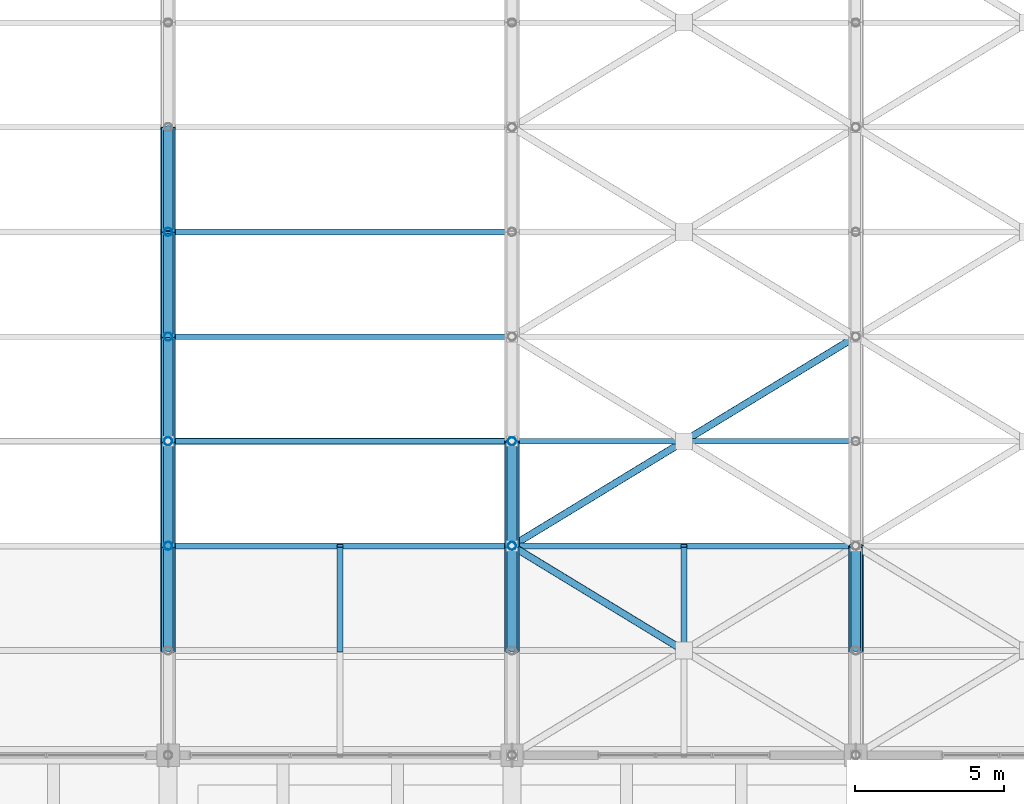
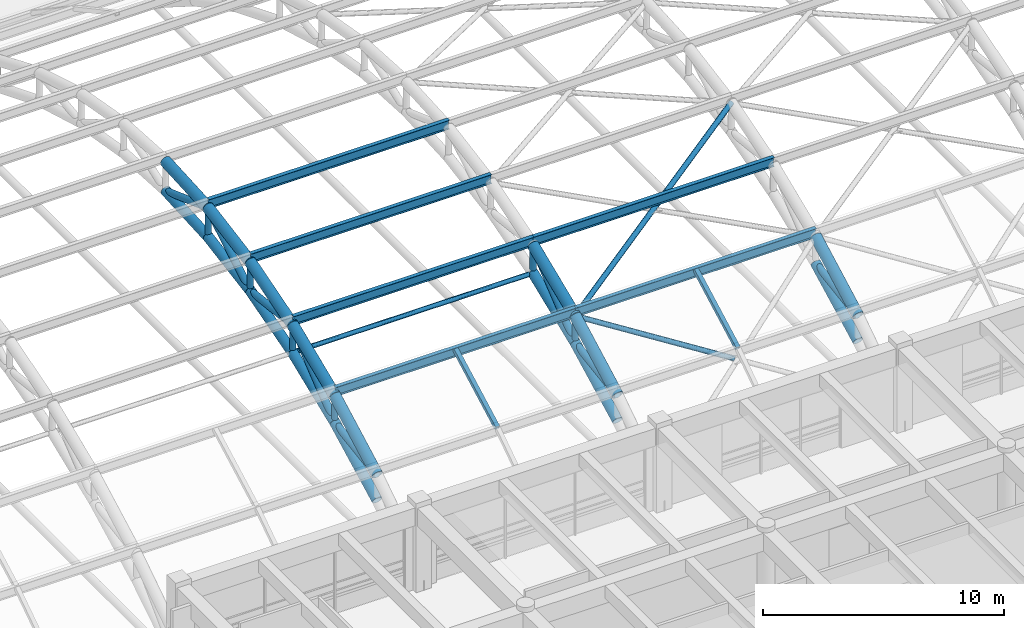
# One storey, part 49 of 154: 41 members.
"""IFC4 building model written with IfcOpenShell, lengths in metres."""

from ifc_helpers import new_model, si_unit, direction, frame, origin, origin_2d, place, context, subcontext, project, spatial, hollow_rectangle, hollow_circle, i_section, extrude, material, material_profile, profile_set, type_object, element, save


model = new_model("IFC4")

# Units and contexts
model_context = context("Model", 3, precision=1e-05, world=origin(), true_north=direction((0.0, 1.0)))
body_context = subcontext(model_context, "Body", "Model", "MODEL_VIEW")
ifc_project = project(units=[si_unit("LENGTHUNIT", "METRE"), si_unit("AREAUNIT", "SQUARE_METRE"), si_unit("VOLUMEUNIT", "CUBIC_METRE"), si_unit("PLANEANGLEUNIT", "RADIAN"), si_unit("MASSUNIT", "GRAM", prefix="KILO")], contexts=[model_context])

# Site, building, storey
site_placement = place(None, origin())
site = spatial("IfcSite", under=ifc_project, at=site_placement, CompositionType="ELEMENT")
building_placement = place(site_placement, origin())
building = spatial("IfcBuilding", under=site, at=building_placement, Name="Ologun Quay Terminus", CompositionType="ELEMENT")
storey_placement = place(building_placement, frame((0.0, 0.0, 13.800048828125)))
storey = spatial("IfcBuildingStorey", under=building, at=storey_placement, Name="L03", CompositionType="ELEMENT", Elevation=13.800048828125)

# Members
ifc_material_1 = material(Name="Steel S355", Category="steel")
ifc_material_profile_1 = material_profile(ifc_material_1, hollow_circle(Radius=0.136474609375, WallThickness=0.010009765625, at=origin_2d()), Name="CHS 273x10")
ifc_profile_set_1 = profile_set([ifc_material_profile_1], Name="Steel S355")
member_type_1 = type_object("IfcMemberType", Name="Arch Truss Vertical Post CHS273", PredefinedType="STRUT", material=ifc_profile_set_1)
member_1_placement = place(storey_placement, frame((69.0, 43.0, 4.022216796875), z_axis=(0.0, 0.0, 1.0), x_axis=(1.0, 0.0, 0.0)))
element("IfcMember", 1, at=member_1_placement, inside=storey, type_object=member_type_1, Name="AW2 Arch Web Post 7-N2", PredefinedType="STRUT", context=body_context, shape_type="SweptSolid", body=[
    extrude(hollow_circle(Radius=0.136474609375, WallThickness=0.010009765625, at=origin_2d()), origin(), (0.0, 0.0, 1.0), 1.35546875),
])
member_2_placement = place(storey_placement, frame((69.0, 46.5, 5.429931640625), z_axis=(0.0, 0.0, 1.0), x_axis=(1.0, 0.0, 0.0)))
element("IfcMember", 2, at=member_2_placement, inside=storey, type_object=member_type_1, Name="AW2 Arch Web Post 7-N3", PredefinedType="STRUT", context=body_context, shape_type="SweptSolid", body=[
    extrude(hollow_circle(Radius=0.136474609375, WallThickness=0.010009765625, at=origin_2d()), origin(), (0.0, 0.0, 1.0), 1.409912109375),
])
member_3_placement = place(storey_placement, frame((69.0, 50.0, 6.435546875), z_axis=(0.0, 0.0, 1.0), x_axis=(1.0, 0.0, 0.0)))
element("IfcMember", 3, at=member_3_placement, inside=storey, type_object=member_type_1, Name="AW2 Arch Web Post 7-N4", PredefinedType="STRUT", context=body_context, shape_type="SweptSolid", body=[
    extrude(hollow_circle(Radius=0.136474609375, WallThickness=0.010009765625, at=origin_2d()), origin(), (0.0, 0.0, 1.0), 1.44873046875),
])
member_4_placement = place(storey_placement, frame((69.0, 53.5, 7.038818359375), z_axis=(0.0, 0.0, 1.0), x_axis=(1.0, 0.0, 0.0)))
element("IfcMember", 4, at=member_4_placement, inside=storey, type_object=member_type_1, Name="AW2 Arch Web Post 7-N5", PredefinedType="STRUT", context=body_context, shape_type="SweptSolid", body=[
    extrude(hollow_circle(Radius=0.136474609375, WallThickness=0.010009765625, at=origin_2d()), origin(), (0.0, 0.0, 1.0), 1.47216796875),
])
member_5_placement = place(storey_placement, frame((80.5, 43.0, 4.022216796875), z_axis=(0.0, 0.0, 1.0), x_axis=(1.0, 0.0, 0.0)))
element("IfcMember", 5, at=member_5_placement, inside=storey, type_object=member_type_1, Name="AW2 Arch Web Post 8-N2", PredefinedType="STRUT", context=body_context, shape_type="SweptSolid", body=[
    extrude(hollow_circle(Radius=0.136474609375, WallThickness=0.010009765625, at=origin_2d()), origin(), (0.0, 0.0, 1.0), 1.35546875),
])
member_6_placement = place(storey_placement, frame((80.5, 46.5, 5.429931640625), z_axis=(0.0, 0.0, 1.0), x_axis=(1.0, 0.0, 0.0)))
element("IfcMember", 6, at=member_6_placement, inside=storey, type_object=member_type_1, Name="AW2 Arch Web Post 8-N3", PredefinedType="STRUT", context=body_context, shape_type="SweptSolid", body=[
    extrude(hollow_circle(Radius=0.136474609375, WallThickness=0.010009765625, at=origin_2d()), origin(), (0.0, 0.0, 1.0), 1.409912109375),
])
ifc_material_2 = material(Name="Steel S355", Category="steel")
ifc_material_profile_2 = material_profile(ifc_material_2, hollow_circle(Radius=0.161865234375, WallThickness=0.010009765625, at=origin_2d()), Name="CHS 323.9x10")
ifc_profile_set_2 = profile_set([ifc_material_profile_2], Name="Steel S355")
member_type_2 = type_object("IfcMemberType", Name="Arch Truss Web Diagonal CHS323", PredefinedType="BRACE", material=ifc_profile_set_2)
member_7_placement = place(storey_placement, frame((69.0, 39.5, 3.497802734375), z_axis=(0.0, 0.988960627525, 0.148178531524), x_axis=(-1.0, 0.0, 0.0)))
element("IfcMember", 7, at=member_7_placement, inside=storey, type_object=member_type_2, Name="AW1 Arch Web Diagonal 7-P2", PredefinedType="BRACE", context=body_context, shape_type="SweptSolid", body=[
    extrude(hollow_circle(Radius=0.161865234375, WallThickness=0.010009765625, at=origin_2d()), origin(), (0.0, 0.0, 1.0), 3.5390625),
])
member_8_placement = place(storey_placement, frame((69.0, 43.0, 4.022216796875), z_axis=(0.0, 0.77895148125, 0.627084196785), x_axis=(-1.0, 0.0, 0.0)))
element("IfcMember", 8, at=member_8_placement, inside=storey, type_object=member_type_2, Name="AW1 Arch Web Diagonal 7-P3", PredefinedType="BRACE", context=body_context, shape_type="SweptSolid", body=[
    extrude(hollow_circle(Radius=0.161865234375, WallThickness=0.010009765625, at=origin_2d()), origin(), (0.0, 0.0, 1.0), 4.4931640625),
])
member_9_placement = place(storey_placement, frame((69.0, 46.5, 6.83984375), z_axis=(0.0, 0.993394361, -0.114750353084), x_axis=(-1.0, 0.0, 0.0)))
element("IfcMember", 9, at=member_9_placement, inside=storey, type_object=member_type_2, Name="AW1 Arch Web Diagonal 7-P4", PredefinedType="BRACE", context=body_context, shape_type="SweptSolid", body=[
    extrude(hollow_circle(Radius=0.161865234375, WallThickness=0.010009765625, at=origin_2d()), origin(), (0.0, 0.0, 1.0), 3.523193359375),
])
member_10_placement = place(storey_placement, frame((69.0, 50.0, 6.435546875), z_axis=(0.0, 0.860144332958, 0.510050709715), x_axis=(-1.0, 0.0, 0.0)))
element("IfcMember", 10, at=member_10_placement, inside=storey, type_object=member_type_2, Name="AW1 Arch Web Diagonal 7-P5", PredefinedType="BRACE", context=body_context, shape_type="SweptSolid", body=[
    extrude(hollow_circle(Radius=0.161865234375, WallThickness=0.010009765625, at=origin_2d()), origin(), (0.0, 0.0, 1.0), 4.069091796875),
])
member_11_placement = place(storey_placement, frame((69.0, 53.5, 8.510986328125), z_axis=(0.0, 0.939942650142, -0.34133241048), x_axis=(-1.0, 0.0, 0.0)))
element("IfcMember", 11, at=member_11_placement, inside=storey, type_object=member_type_2, Name="AW1 Arch Web Diagonal 7-P6", PredefinedType="BRACE", context=body_context, shape_type="SweptSolid", body=[
    extrude(hollow_circle(Radius=0.161865234375, WallThickness=0.010009765625, at=origin_2d()), origin(), (0.0, 0.0, 1.0), 3.7236328125),
])
member_12_placement = place(storey_placement, frame((80.5, 39.5, 3.497802734375), z_axis=(0.0, 0.988960627525, 0.148178531524), x_axis=(-1.0, 0.0, 0.0)))
element("IfcMember", 12, at=member_12_placement, inside=storey, type_object=member_type_2, Name="AW1 Arch Web Diagonal 8-P2", PredefinedType="BRACE", context=body_context, shape_type="SweptSolid", body=[
    extrude(hollow_circle(Radius=0.161865234375, WallThickness=0.010009765625, at=origin_2d()), origin(), (0.0, 0.0, 1.0), 3.5390625),
])
member_13_placement = place(storey_placement, frame((80.5, 43.0, 4.022216796875), z_axis=(0.0, 0.77895148125, 0.627084196785), x_axis=(-1.0, 0.0, 0.0)))
element("IfcMember", 13, at=member_13_placement, inside=storey, type_object=member_type_2, Name="AW1 Arch Web Diagonal 8-P3", PredefinedType="BRACE", context=body_context, shape_type="SweptSolid", body=[
    extrude(hollow_circle(Radius=0.161865234375, WallThickness=0.010009765625, at=origin_2d()), origin(), (0.0, 0.0, 1.0), 4.4931640625),
])
member_14_placement = place(storey_placement, frame((92.0, 39.5, 3.497802734375), z_axis=(0.0, 0.988960627525, 0.148178531524), x_axis=(-1.0, 0.0, 0.0)))
element("IfcMember", 14, at=member_14_placement, inside=storey, type_object=member_type_2, Name="AW1 Arch Web Diagonal 9-P2", PredefinedType="BRACE", context=body_context, shape_type="SweptSolid", body=[
    extrude(hollow_circle(Radius=0.161865234375, WallThickness=0.010009765625, at=origin_2d()), origin(), (0.0, 0.0, 1.0), 3.5390625),
])
ifc_material_3 = material(Name="Steel S355", Category="steel")
ifc_material_profile_3 = material_profile(ifc_material_3, hollow_circle(Radius=0.228515625, WallThickness=0.01611328125, at=origin_2d()), Name="CHS 457x16")
ifc_profile_set_3 = profile_set([ifc_material_profile_3], Name="Steel S355")
member_type_3 = type_object("IfcMemberType", Name="Parabolic Arch Bottom Chord CHS457", PredefinedType="CHORD", material=ifc_profile_set_3)
member_15_placement = place(storey_placement, frame((69.0, 39.5, 2.212158203125), z_axis=(0.0, 0.888247284083, 0.459365608551), x_axis=(-1.0, 0.0, 0.0)))
element("IfcMember", 15, at=member_15_placement, inside=storey, type_object=member_type_3, Name="AC2 Arch Bottom Chord 7-P2", PredefinedType="CHORD", context=body_context, shape_type="SweptSolid", body=[
    extrude(hollow_circle(Radius=0.228515625, WallThickness=0.01611328125, at=origin_2d()), origin(), (0.0, 0.0, 1.0), 3.9404296875),
])
member_16_placement = place(storey_placement, frame((69.0, 43.0, 4.022216796875), z_axis=(0.0, 0.92776983497, 0.373152962363), x_axis=(-1.0, 0.0, 0.0)))
element("IfcMember", 16, at=member_16_placement, inside=storey, type_object=member_type_3, Name="AC2 Arch Bottom Chord 7-P3", PredefinedType="CHORD", context=body_context, shape_type="SweptSolid", body=[
    extrude(hollow_circle(Radius=0.228515625, WallThickness=0.01611328125, at=origin_2d()), origin(), (0.0, 0.0, 1.0), 3.7724609375),
])
member_17_placement = place(storey_placement, frame((69.0, 46.5, 5.429931640625), z_axis=(0.0, 0.961115578425, 0.276146419331), x_axis=(-1.0, 0.0, 0.0)))
element("IfcMember", 17, at=member_17_placement, inside=storey, type_object=member_type_3, Name="AC2 Arch Bottom Chord 7-P4", PredefinedType="CHORD", context=body_context, shape_type="SweptSolid", body=[
    extrude(hollow_circle(Radius=0.228515625, WallThickness=0.01611328125, at=origin_2d()), origin(), (0.0, 0.0, 1.0), 3.6416015625),
])
member_18_placement = place(storey_placement, frame((69.0, 50.0, 6.435546875), z_axis=(0.0, 0.985468449185, 0.16985857547), x_axis=(-1.0, 0.0, 0.0)))
element("IfcMember", 18, at=member_18_placement, inside=storey, type_object=member_type_3, Name="AC2 Arch Bottom Chord 7-P5", PredefinedType="CHORD", context=body_context, shape_type="SweptSolid", body=[
    extrude(hollow_circle(Radius=0.228515625, WallThickness=0.01611328125, at=origin_2d()), origin(), (0.0, 0.0, 1.0), 3.551513671875),
])
member_19_placement = place(storey_placement, frame((69.0, 53.5, 7.038818359375), z_axis=(0.0, 0.998352239869, 0.057382969144), x_axis=(-1.0, 0.0, 0.0)))
element("IfcMember", 19, at=member_19_placement, inside=storey, type_object=member_type_3, Name="AC2 Arch Bottom Chord 7-P6", PredefinedType="CHORD", context=body_context, shape_type="SweptSolid", body=[
    extrude(hollow_circle(Radius=0.228515625, WallThickness=0.01611328125, at=origin_2d()), origin(), (0.0, 0.0, 1.0), 3.505859375),
])
member_20_placement = place(storey_placement, frame((80.5, 39.5, 2.212158203125), z_axis=(0.0, 0.888247284083, 0.459365608551), x_axis=(-1.0, 0.0, 0.0)))
element("IfcMember", 20, at=member_20_placement, inside=storey, type_object=member_type_3, Name="AC2 Arch Bottom Chord 8-P2", PredefinedType="CHORD", context=body_context, shape_type="SweptSolid", body=[
    extrude(hollow_circle(Radius=0.228515625, WallThickness=0.01611328125, at=origin_2d()), origin(), (0.0, 0.0, 1.0), 3.9404296875),
])
member_21_placement = place(storey_placement, frame((80.5, 43.0, 4.022216796875), z_axis=(0.0, 0.92776983497, 0.373152962363), x_axis=(-1.0, 0.0, 0.0)))
element("IfcMember", 21, at=member_21_placement, inside=storey, type_object=member_type_3, Name="AC2 Arch Bottom Chord 8-P3", PredefinedType="CHORD", context=body_context, shape_type="SweptSolid", body=[
    extrude(hollow_circle(Radius=0.228515625, WallThickness=0.01611328125, at=origin_2d()), origin(), (0.0, 0.0, 1.0), 3.7724609375),
])
member_22_placement = place(storey_placement, frame((92.0, 39.5, 2.212158203125), z_axis=(0.0, 0.888247284083, 0.459365608551), x_axis=(-1.0, 0.0, 0.0)))
element("IfcMember", 22, at=member_22_placement, inside=storey, type_object=member_type_3, Name="AC2 Arch Bottom Chord 9-P2", PredefinedType="CHORD", context=body_context, shape_type="SweptSolid", body=[
    extrude(hollow_circle(Radius=0.228515625, WallThickness=0.01611328125, at=origin_2d()), origin(), (0.0, 0.0, 1.0), 3.9404296875),
])
ifc_material_4 = material(Name="Steel S355", Category="steel")
ifc_material_profile_4 = material_profile(ifc_material_4, hollow_circle(Radius=0.25390625, WallThickness=0.01611328125, at=origin_2d()), Name="CHS 508x16")
ifc_profile_set_4 = profile_set([ifc_material_profile_4], Name="Steel S355")
member_type_4 = type_object("IfcMemberType", Name="Parabolic Arch Top Chord CHS508", PredefinedType="CHORD", material=ifc_profile_set_4)
member_23_placement = place(storey_placement, frame((69.0, 39.5, 3.497802734375), z_axis=(0.0, 0.880967864924, 0.473176099324), x_axis=(-1.0, 0.0, 0.0)))
element("IfcMember", 23, at=member_23_placement, inside=storey, type_object=member_type_4, Name="Arch Top Chord 7-P2", PredefinedType="CHORD", context=body_context, shape_type="SweptSolid", body=[
    extrude(hollow_circle(Radius=0.25390625, WallThickness=0.01611328125, at=origin_2d()), origin(), (0.0, 0.0, 1.0), 3.972900390625),
])
member_24_placement = place(storey_placement, frame((69.0, 43.0, 5.377685546875), z_axis=(0.0, 0.922718523726, 0.385474416755), x_axis=(-1.0, 0.0, 0.0)))
element("IfcMember", 24, at=member_24_placement, inside=storey, type_object=member_type_4, Name="Arch Top Chord 7-P3", PredefinedType="CHORD", context=body_context, shape_type="SweptSolid", body=[
    extrude(hollow_circle(Radius=0.25390625, WallThickness=0.01611328125, at=origin_2d()), origin(), (0.0, 0.0, 1.0), 3.793212890625),
])
member_25_placement = place(storey_placement, frame((69.0, 46.5, 6.83984375), z_axis=(0.0, 0.958244712677, 0.285949419701), x_axis=(-1.0, 0.0, 0.0)))
element("IfcMember", 25, at=member_25_placement, inside=storey, type_object=member_type_4, Name="Arch Top Chord 7-P4", PredefinedType="CHORD", context=body_context, shape_type="SweptSolid", body=[
    extrude(hollow_circle(Radius=0.25390625, WallThickness=0.01611328125, at=origin_2d()), origin(), (0.0, 0.0, 1.0), 3.652587890625),
])
member_26_placement = place(storey_placement, frame((69.0, 50.0, 7.88427734375), z_axis=(0.0, 0.984344289591, 0.176256402859), x_axis=(-1.0, 0.0, 0.0)))
element("IfcMember", 26, at=member_26_placement, inside=storey, type_object=member_type_4, Name="Arch Top Chord 7-P5", PredefinedType="CHORD", context=body_context, shape_type="SweptSolid", body=[
    extrude(hollow_circle(Radius=0.25390625, WallThickness=0.01611328125, at=origin_2d()), origin(), (0.0, 0.0, 1.0), 3.5556640625),
])
member_27_placement = place(storey_placement, frame((69.0, 53.5, 8.510986328125), z_axis=(0.0, 0.998222121157, 0.0596036646), x_axis=(-1.0, 0.0, 0.0)))
element("IfcMember", 27, at=member_27_placement, inside=storey, type_object=member_type_4, Name="Arch Top Chord 7-P6", PredefinedType="CHORD", context=body_context, shape_type="SweptSolid", body=[
    extrude(hollow_circle(Radius=0.25390625, WallThickness=0.01611328125, at=origin_2d()), origin(), (0.0, 0.0, 1.0), 3.50634765625),
])
member_28_placement = place(storey_placement, frame((80.5, 39.5, 3.497802734375), z_axis=(0.0, 0.880967864924, 0.473176099324), x_axis=(-1.0, 0.0, 0.0)))
element("IfcMember", 28, at=member_28_placement, inside=storey, type_object=member_type_4, Name="Arch Top Chord 8-P2", PredefinedType="CHORD", context=body_context, shape_type="SweptSolid", body=[
    extrude(hollow_circle(Radius=0.25390625, WallThickness=0.01611328125, at=origin_2d()), origin(), (0.0, 0.0, 1.0), 3.972900390625),
])
member_29_placement = place(storey_placement, frame((80.5, 43.0, 5.377685546875), z_axis=(0.0, 0.922718523726, 0.385474416755), x_axis=(-1.0, 0.0, 0.0)))
element("IfcMember", 29, at=member_29_placement, inside=storey, type_object=member_type_4, Name="Arch Top Chord 8-P3", PredefinedType="CHORD", context=body_context, shape_type="SweptSolid", body=[
    extrude(hollow_circle(Radius=0.25390625, WallThickness=0.01611328125, at=origin_2d()), origin(), (0.0, 0.0, 1.0), 3.793212890625),
])
member_30_placement = place(storey_placement, frame((92.0, 39.5, 3.497802734375), z_axis=(0.0, 0.880967864924, 0.473176099324), x_axis=(-1.0, 0.0, 0.0)))
element("IfcMember", 30, at=member_30_placement, inside=storey, type_object=member_type_4, Name="Arch Top Chord 9-P2", PredefinedType="CHORD", context=body_context, shape_type="SweptSolid", body=[
    extrude(hollow_circle(Radius=0.25390625, WallThickness=0.01611328125, at=origin_2d()), origin(), (0.0, 0.0, 1.0), 3.972900390625),
])
ifc_material_5 = material(Name="Steel S355", Category="steel")
ifc_material_profile_5 = material_profile(ifc_material_5, hollow_circle(Radius=0.109619140625, WallThickness=0.008056640625, at=origin_2d()), Name="CHS 219.1x8")
ifc_profile_set_5 = profile_set([ifc_material_profile_5], Name="Steel S355")
member_type_5 = type_object("IfcMemberType", Name="Roof Plan Wind Brace Collector CHS219", PredefinedType="STRUT", material=ifc_profile_set_5)
member_31_placement = place(storey_placement, frame((69.0, 46.5, 5.429931640625), z_axis=(1.0, 0.0, 0.0), x_axis=(0.0, 1.0, 0.0)))
element("IfcMember", 31, at=member_31_placement, inside=storey, type_object=member_type_5, Name="WB2 Collector Strut B7-K3", PredefinedType="STRUT", context=body_context, shape_type="SweptSolid", body=[
    extrude(hollow_circle(Radius=0.109619140625, WallThickness=0.008056640625, at=origin_2d()), origin(), (0.0, 0.0, 1.0), 11.5),
])
ifc_material_6 = material(Name="Steel S355", Category="steel")
ifc_material_profile_6 = material_profile(ifc_material_6, hollow_circle(Radius=0.122314453125, WallThickness=0.008056640625, at=origin_2d()), Name="CHS 244.5x8")
ifc_profile_set_6 = profile_set([ifc_material_profile_6], Name="Steel S355")
member_type_6 = type_object("IfcMemberType", Name="Roof Plan Wind Brace Primary CHS244", PredefinedType="BRACE", material=ifc_profile_set_6)
member_32_placement = place(storey_placement, frame((80.5, 43.0, 5.377685546875), z_axis=(0.815823185614, -0.496583416265, -0.29637381886), x_axis=(0.51994342513, 0.854200699288, 0.0)))
element("IfcMember", 32, at=member_32_placement, inside=storey, type_object=member_type_6, Name="Roof Wind Brace B1 B8-K0", PredefinedType="BRACE", context=body_context, shape_type="SweptSolid", body=[
    extrude(hollow_circle(Radius=0.122314453125, WallThickness=0.008056640625, at=origin_2d()), origin(), (0.0, 0.0, 1.0), 6.907958984375),
])
member_33_placement = place(storey_placement, frame((80.5, 43.0, 5.377685546875), z_axis=(0.83976735311, 0.511162736676, 0.18303947466), x_axis=(-0.519946946896, 0.854198555614, 0.0)))
element("IfcMember", 33, at=member_33_placement, inside=storey, type_object=member_type_6, Name="Roof Wind Brace A B8-K2", PredefinedType="BRACE", context=body_context, shape_type="SweptSolid", body=[
    extrude(hollow_circle(Radius=0.122314453125, WallThickness=0.008056640625, at=origin_2d()), origin(), (0.0, 0.0, 1.0), 13.6943359375),
])
ifc_material_7 = material(Name="Steel S355", Category="steel")
ifc_material_profile_7 = material_profile(ifc_material_7, hollow_rectangle(XDim=0.199951171875, YDim=0.199951171875, WallThickness=0.008056640625, at=origin_2d()), Name="SHS 200x200x8")
ifc_profile_set_7 = profile_set([ifc_material_profile_7], Name="Steel S355")
member_type_7 = type_object("IfcMemberType", Name="Skylight Cross Transom Bar RHS150", PredefinedType="STRUT", material=ifc_profile_set_7)
for number, where, z_axis, x_axis, name in (
    (34, (74.75, 39.5, 3.851806640625), (0.0, 0.880967864924, 0.473176099324), (-1.0, 0.0, 0.0), "SK2 Eave Secondary Rafter B7-P2"),
    (35, (86.25, 39.5, 3.851806640625), (0.0, 0.880967864924, 0.473176099324), (-1.0, 0.0, 0.0), "SK2 Eave Secondary Rafter B8-P2"),
):
    element("IfcMember", number, at=place(storey_placement, frame(where, z_axis=z_axis, x_axis=x_axis)), inside=storey, type_object=member_type_7, Name=name, PredefinedType="STRUT", context=body_context, shape_type="SweptSolid", body=[
        extrude(hollow_rectangle(XDim=0.199951171875, YDim=0.199951171875, WallThickness=0.008056640625, at=origin_2d()), origin(), (0.0, 0.0, 1.0), 3.972900390625),
    ])
ifc_material_8 = material(Name="Steel S355", Category="steel")
ifc_material_profile_8 = material_profile(ifc_material_8, i_section(OverallWidth=0.1904296875, OverallDepth=0.45703125, WebThickness=0.009033203125, FlangeThickness=0.014404296875, at=origin_2d()), Name="UKB 457x191x74")
ifc_profile_set_8 = profile_set([ifc_material_profile_8], Name="Steel S355")
member_type_8 = type_object("IfcMemberType", Name="Train Shed Primary Roof Purlin UKB457", PredefinedType="PURLIN", material=ifc_profile_set_8)
for number, where, z_axis, x_axis, name in (
    (36, (69.0, 43.0, 5.606201171875), (1.0, 0.0, 0.0), (0.0, 1.0, 0.0), "PR1 Roof Purlin B7-N2"),
    (37, (69.0, 46.5, 7.068359375), (1.0, 0.0, 0.0), (0.0, 1.0, 0.0), "PR1 Roof Purlin B7-N3"),
    (38, (69.0, 50.0, 8.11279296875), (1.0, 0.0, 0.0), (0.0, 1.0, 0.0), "PR1 Roof Purlin B7-N4"),
    (39, (69.0, 53.5, 8.739501953125), (1.0, 0.0, 0.0), (0.0, 1.0, 0.0), "PR1 Roof Purlin B7-N5"),
    (40, (80.5, 43.0, 5.606201171875), (1.0, 0.0, 0.0), (0.0, 1.0, 0.0), "PR1 Roof Purlin B8-N2"),
    (41, (80.5, 46.5, 7.068359375), (1.0, 0.0, 0.0), (0.0, 1.0, 0.0), "PR1 Roof Purlin B8-N3"),
):
    element("IfcMember", number, at=place(storey_placement, frame(where, z_axis=z_axis, x_axis=x_axis)), inside=storey, type_object=member_type_8, Name=name, PredefinedType="PURLIN", context=body_context, shape_type="SweptSolid", body=[
        extrude(i_section(OverallWidth=0.1904296875, OverallDepth=0.45703125, WebThickness=0.009033203125, FlangeThickness=0.014404296875, at=origin_2d()), origin(), (0.0, 0.0, 1.0), 11.5),
    ])

save(model, "model.ifc")
